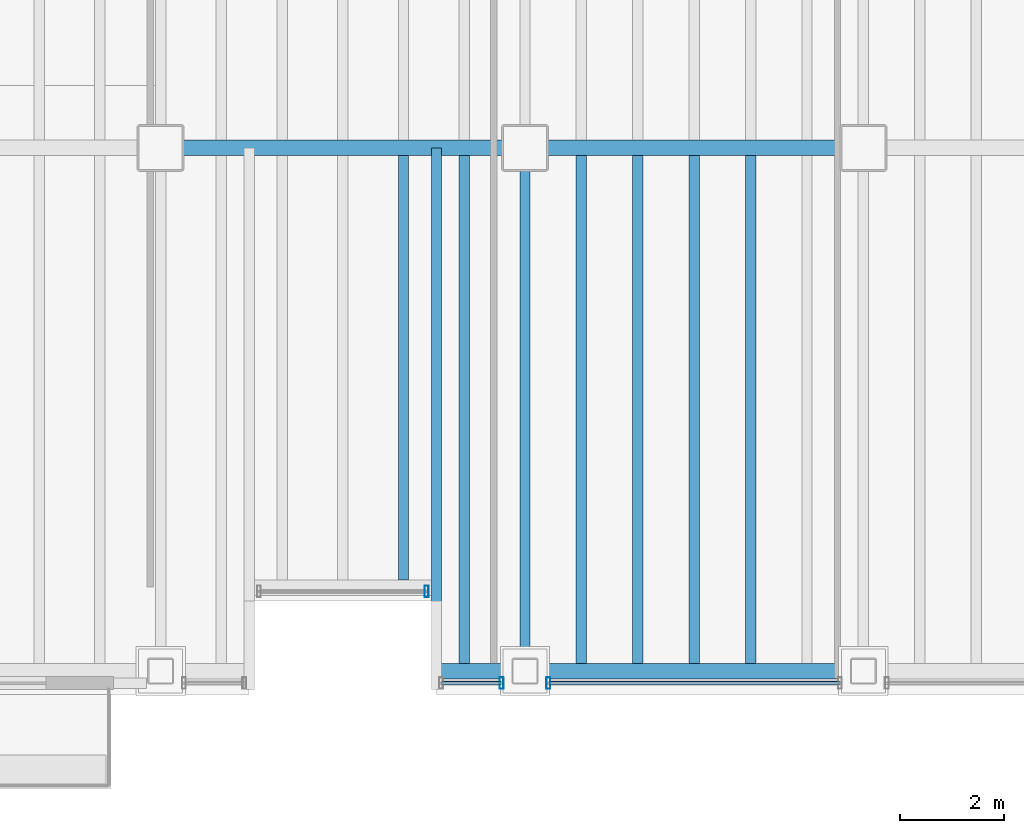
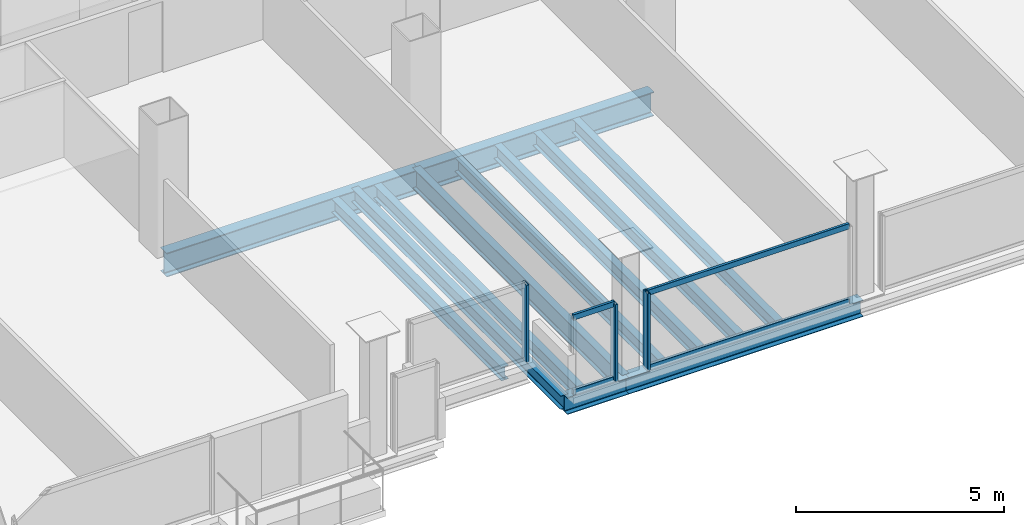
# One storey, part 5 of 21: 12 beams, 7 members, 3 elements without a shape of their own.
"""IFC4 building model written with IfcOpenShell, lengths in metres."""

from ifc_helpers import new_model, si_unit, direction, frame, origin, origin_2d, place, context, subcontext, project, spatial, hollow_rectangle, i_section, extrude, material, material_profile, profile_set, type_object, element, aggregate, save


model = new_model("IFC4")

# Units and contexts
model_context = context("Model", 3, precision=1e-05, world=origin(), true_north=direction((0.0, 1.0)))
body_context = subcontext(model_context, "Body", "Model", "MODEL_VIEW")
ifc_project = project(units=[si_unit("LENGTHUNIT", "METRE"), si_unit("AREAUNIT", "SQUARE_METRE"), si_unit("VOLUMEUNIT", "CUBIC_METRE"), si_unit("PLANEANGLEUNIT", "RADIAN"), si_unit("MASSUNIT", "GRAM", prefix="KILO")], contexts=[model_context])

# Site, building, storey
site_placement = place(None, origin())
site = spatial("IfcSite", under=ifc_project, at=site_placement, CompositionType="ELEMENT")
building_placement = place(site_placement, origin())
building = spatial("IfcBuilding", under=site, at=building_placement, Name="Noeulbin Bourse Tower", CompositionType="ELEMENT")
storey_placement = place(building_placement, frame((0.0, 0.0, 111.0)))
storey = spatial("IfcBuildingStorey", under=building, at=storey_placement, Name="L27", CompositionType="ELEMENT", Elevation=111.0)

# Beams
ifc_material_1 = material(Name="Steel S355", Category="steel")
ifc_material_profile_1 = material_profile(ifc_material_1, i_section(OverallWidth=0.199951171875, OverallDepth=0.60009765625, WebThickness=0.010986328125, FlangeThickness=0.01708984375, FilletRadius=0.02197265625, at=origin_2d()), Name="H-600x200x11x17", Category="LoadBearing")
ifc_profile_set_1 = profile_set([ifc_material_profile_1], Name="Steel S355")
beam_type_1 = type_object("IfcBeamType", Name="BM-GRD-600", PredefinedType="USERDEFINED", material=ifc_profile_set_1)
beam_1_placement = place(storey_placement, frame((31.0, 9.949951171875, -0.47998046875), z_axis=(0.0, 1.0, 0.0), x_axis=(-1.0, 0.0, 0.0)))
element("IfcBeam", 1, at=beam_1_placement, inside=storey, type_object=beam_type_1, Name="Tower Primary Girder NS L27-3.1", ObjectType="GIRDER", PredefinedType="USERDEFINED", context=body_context, shape_type="SweptSolid", body=[
    extrude(i_section(OverallWidth=0.199951171875, OverallDepth=0.60009765625, WebThickness=0.010986328125, FlangeThickness=0.01708984375, FilletRadius=0.02197265625, at=origin_2d()), origin(), (0.0, 0.0, 1.0), 10.050048828125),
])
ifc_material_profile_2 = material_profile(ifc_material_1, i_section(OverallWidth=0.300048828125, OverallDepth=0.699951171875, WebThickness=0.012939453125, FlangeThickness=0.02392578125, FilletRadius=0.02392578125, at=origin_2d()), Name="H-700x300x13x24", Category="LoadBearing")
ifc_profile_set_2 = profile_set([ifc_material_profile_2], Name="Steel S355")
beam_type_2 = type_object("IfcBeamType", Name="BM-GRD-700", PredefinedType="USERDEFINED", material=ifc_profile_set_2)
beam_2_placement = place(storey_placement, frame((24.0, 20.0, -0.530029296875), z_axis=(1.0, 0.0, 0.0), x_axis=(0.0, 1.0, 0.0)))
element("IfcBeam", 2, at=beam_2_placement, inside=storey, type_object=beam_type_2, Name="Tower Primary Girder EW L27-1.3", ObjectType="GIRDER", PredefinedType="USERDEFINED", context=body_context, shape_type="SweptSolid", body=[
    extrude(i_section(OverallWidth=0.300048828125, OverallDepth=0.699951171875, WebThickness=0.012939453125, FlangeThickness=0.02392578125, FilletRadius=0.02392578125, at=origin_2d()), origin(), (0.0, 0.0, 1.0), 7.0),
])
beam_3_placement = place(storey_placement, frame((31.0, 20.0, -0.530029296875), z_axis=(1.0, 0.0, 0.0), x_axis=(0.0, 1.0, 0.0)))
element("IfcBeam", 3, at=beam_3_placement, inside=storey, type_object=beam_type_2, Name="Tower Primary Girder EW L27-1.4", ObjectType="GIRDER", PredefinedType="USERDEFINED", context=body_context, shape_type="SweptSolid", body=[
    extrude(i_section(OverallWidth=0.300048828125, OverallDepth=0.699951171875, WebThickness=0.012939453125, FlangeThickness=0.02392578125, FilletRadius=0.02392578125, at=origin_2d()), origin(), (0.0, 0.0, 1.0), 6.5),
])
ifc_material_profile_3 = material_profile(ifc_material_1, i_section(OverallWidth=0.199951171875, OverallDepth=0.39990234375, WebThickness=0.008056640625, FlangeThickness=0.012939453125, FilletRadius=0.01611328125, at=origin_2d()), Name="H-400x200x8x13", Category="LoadBearing")
ifc_profile_set_3 = profile_set([ifc_material_profile_3], Name="Steel S355")
beam_type_3 = type_object("IfcBeamType", Name="BM-SEC-400", PredefinedType="BEAM", material=ifc_profile_set_3)
beam_4_placement = place(storey_placement, frame((29.300048828125, 9.949951171875, -0.3798828125), z_axis=(0.0, 1.0, 0.0), x_axis=(-1.0, 0.0, 0.0)))
element("IfcBeam", 4, at=beam_4_placement, inside=storey, type_object=beam_type_3, Name="BM-L27-SRT-E", PredefinedType="BEAM", context=body_context, shape_type="SweptSolid", body=[
    extrude(i_section(OverallWidth=0.199951171875, OverallDepth=0.39990234375, WebThickness=0.008056640625, FlangeThickness=0.012939453125, FilletRadius=0.01611328125, at=origin_2d()), origin(), (0.0, 0.0, 1.0), 10.050048828125),
])
beam_5_placement = place(storey_placement, frame((28.666748046875, 11.699951171875, -0.3798828125), z_axis=(0.0, 1.0, 0.0), x_axis=(-1.0, 0.0, 0.0)))
element("IfcBeam", 5, at=beam_5_placement, inside=storey, type_object=beam_type_3, Name="Tower Composite Joist L27-34", PredefinedType="BEAM", context=body_context, shape_type="SweptSolid", body=[
    extrude(i_section(OverallWidth=0.199951171875, OverallDepth=0.39990234375, WebThickness=0.008056640625, FlangeThickness=0.012939453125, FilletRadius=0.01611328125, at=origin_2d()), origin(), (0.0, 0.0, 1.0), 8.150146484375),
])
for number, where, z_axis, x_axis, name in (
    (6, (29.833251953125, 10.10009765625, -0.3798828125), (0.0, 1.0, 0.0), (-1.0, 0.0, 0.0), "Tower Composite Joist L27-37"),
    (7, (32.083251953125, 10.10009765625, -0.3798828125), (0.0, 1.0, 0.0), (-1.0, 0.0, 0.0), "Tower Composite Joist L27-40"),
    (8, (33.166748046875, 10.10009765625, -0.3798828125), (0.0, 1.0, 0.0), (-1.0, 0.0, 0.0), "Tower Composite Joist L27-43"),
    (9, (34.25, 10.10009765625, -0.3798828125), (0.0, 1.0, 0.0), (-1.0, 0.0, 0.0), "Tower Composite Joist L27-46"),
    (10, (35.333251953125, 10.10009765625, -0.3798828125), (0.0, 1.0, 0.0), (-1.0, 0.0, 0.0), "Tower Composite Joist L27-49"),
):
    element("IfcBeam", number, at=place(storey_placement, frame(where, z_axis=z_axis, x_axis=x_axis)), inside=storey, type_object=beam_type_3, Name=name, PredefinedType="BEAM", context=body_context, shape_type="SweptSolid", body=[
        extrude(i_section(OverallWidth=0.199951171875, OverallDepth=0.39990234375, WebThickness=0.008056640625, FlangeThickness=0.012939453125, FilletRadius=0.01611328125, at=origin_2d()), origin(), (0.0, 0.0, 1.0), 9.75),
    ])
ifc_material_profile_4 = material_profile(ifc_material_1, i_section(OverallWidth=0.300048828125, OverallDepth=0.488037109375, WebThickness=0.010986328125, FlangeThickness=0.01806640625, FilletRadius=0.02197265625, at=origin_2d()), Name="H-488x300x11x18", Category="LoadBearing")
ifc_profile_set_4 = profile_set([ifc_material_profile_4], Name="Steel S355")
beam_type_4 = type_object("IfcBeamType", Name="BM-SPN-488", PredefinedType="SPANDREL", material=ifc_profile_set_4)
beam_6_placement = place(storey_placement, frame((29.300048828125, 9.949951171875, -0.424072265625), z_axis=(1.0, 0.0, 0.0), x_axis=(0.0, 1.0, 0.0)))
element("IfcBeam", 11, at=beam_6_placement, inside=storey, type_object=beam_type_4, Name="South Spandrel L27-2C", PredefinedType="SPANDREL", context=body_context, shape_type="SweptSolid", body=[
    extrude(i_section(OverallWidth=0.300048828125, OverallDepth=0.488037109375, WebThickness=0.010986328125, FlangeThickness=0.01806640625, FilletRadius=0.02197265625, at=origin_2d()), origin(), (0.0, 0.0, 1.0), 1.699951171875),
])
beam_7_placement = place(storey_placement, frame((31.0, 9.949951171875, -0.424072265625), z_axis=(1.0, 0.0, 0.0), x_axis=(0.0, 1.0, 0.0)))
element("IfcBeam", 12, at=beam_7_placement, inside=storey, type_object=beam_type_4, Name="South Spandrel L27-3", PredefinedType="SPANDREL", context=body_context, shape_type="SweptSolid", body=[
    extrude(i_section(OverallWidth=0.300048828125, OverallDepth=0.488037109375, WebThickness=0.010986328125, FlangeThickness=0.01806640625, FilletRadius=0.02197265625, at=origin_2d()), origin(), (0.0, 0.0, 1.0), 6.5),
])

# Curtain wall, member
ifc_material_2 = material(Name="Dark Tinted Triple Glazing", Category="glass")
curtain_wall_type = type_object("IfcCurtainWallType", Name="CW-SYS-3", PredefinedType="NOTDEFINED", material=ifc_material_2)
curtain_wall_1_placement = place(storey_placement, origin())
curtain_wall_1 = element("IfcCurtainWall", 13, at=curtain_wall_1_placement, inside=storey, type_object=curtain_wall_type, Name="Unitised Curtain Wall CW-L27-SREC", PredefinedType="NOTDEFINED")
ifc_material_3 = material(Name="Anodised Aluminium 6063-T6", Category="aluminium")
ifc_material_profile_5 = material_profile(ifc_material_3, hollow_rectangle(XDim=0.074951171875, YDim=0.219970703125, WallThickness=0.0048828125, InnerFilletRadius=0.00244140625, OuterFilletRadius=0.0048828125, at=origin_2d()), Name="ALU-MULL-75x220x5", Category="LoadBearing")
ifc_profile_set_5 = profile_set([ifc_material_profile_5], Name="Anodised Aluminium 6063-T6")
member_type_1 = type_object("IfcMemberType", Name="CW-SYS-3-MUL", PredefinedType="MULLION", material=ifc_profile_set_5)
member_1_placement = place(storey_placement, frame((29.110107421875, 11.47998046875, -0.02001953125), z_axis=(0.0, 0.0, 1.0), x_axis=(1.0, 0.0, 0.0)))
member_1 = element("IfcMember", 14, at=member_1_placement, type_object=member_type_1, Name="Curtain Wall Mullion CW-L27-SREC-M01", PredefinedType="MULLION", context=body_context, shape_type="SweptSolid", body=[
    extrude(hollow_rectangle(XDim=0.074951171875, YDim=0.219970703125, WallThickness=0.0048828125, InnerFilletRadius=0.00244140625, OuterFilletRadius=0.0048828125, at=origin_2d()), origin(), (0.0, 0.0, 1.0), 2.260009765625),
])
aggregate(curtain_wall_1, [member_1])

curtain_wall_2_placement = place(storey_placement, origin())
curtain_wall_2 = element("IfcCurtainWall", 15, at=curtain_wall_2_placement, inside=storey, type_object=curtain_wall_type, Name="Unitised Curtain Wall CW-L27-S3-S1", PredefinedType="NOTDEFINED")
member_2_placement = place(storey_placement, frame((30.550048828125, 9.719970703125, -0.02001953125), z_axis=(0.0, 0.0, 1.0), x_axis=(1.0, 0.0, 0.0)))
member_2 = element("IfcMember", 16, at=member_2_placement, type_object=member_type_1, Name="Curtain Wall Mullion CW-L27-S3-S1-M01", PredefinedType="MULLION", context=body_context, shape_type="SweptSolid", body=[
    extrude(hollow_rectangle(XDim=0.074951171875, YDim=0.219970703125, WallThickness=0.0048828125, InnerFilletRadius=0.00244140625, OuterFilletRadius=0.0048828125, at=origin_2d()), origin(), (0.0, 0.0, 1.0), 2.260009765625),
])

curtain_wall_3_placement = place(storey_placement, origin())
curtain_wall_3 = element("IfcCurtainWall", 17, at=curtain_wall_3_placement, inside=storey, type_object=curtain_wall_type, Name="Unitised Curtain Wall CW-L27-S3-S2", PredefinedType="NOTDEFINED")
member_3_placement = place(storey_placement, frame((31.449951171875, 9.719970703125, -0.02001953125), z_axis=(0.0, 0.0, 1.0), x_axis=(1.0, 0.0, 0.0)))
member_3 = element("IfcMember", 18, at=member_3_placement, type_object=member_type_1, Name="Curtain Wall Mullion CW-L27-S3-S2-M00", PredefinedType="MULLION", context=body_context, shape_type="SweptSolid", body=[
    extrude(hollow_rectangle(XDim=0.074951171875, YDim=0.219970703125, WallThickness=0.0048828125, InnerFilletRadius=0.00244140625, OuterFilletRadius=0.0048828125, at=origin_2d()), origin(), (0.0, 0.0, 1.0), 2.260009765625),
])

# Member
ifc_material_profile_6 = material_profile(ifc_material_3, hollow_rectangle(XDim=0.074951171875, YDim=0.159912109375, WallThickness=0.0048828125, InnerFilletRadius=0.00244140625, OuterFilletRadius=0.0048828125, at=origin_2d()), Name="ALU-TRAN-75x160x5", Category="LoadBearing")
ifc_profile_set_6 = profile_set([ifc_material_profile_6], Name="Anodised Aluminium 6063-T6")
member_type_2 = type_object("IfcMemberType", Name="CW-SYS-3-TRN", PredefinedType="USERDEFINED", material=ifc_profile_set_6)
member_4_placement = place(storey_placement, frame((29.39990234375, 9.719970703125, 0.010009765625), z_axis=(1.0, 0.0, 0.0), x_axis=(0.0, 1.0, 0.0)))
member_4 = element("IfcMember", 19, at=member_4_placement, type_object=member_type_2, Name="Curtain Wall Transom CW-L27-S3-S1-T00", ObjectType="TRANSOM", PredefinedType="USERDEFINED", context=body_context, shape_type="SweptSolid", body=[
    extrude(hollow_rectangle(XDim=0.074951171875, YDim=0.159912109375, WallThickness=0.0048828125, InnerFilletRadius=0.00244140625, OuterFilletRadius=0.0048828125, at=origin_2d()), origin(), (0.0, 0.0, 1.0), 1.14013671875),
])

member_5_placement = place(storey_placement, frame((29.39990234375, 9.719970703125, 2.2099609375), z_axis=(1.0, 0.0, 0.0), x_axis=(0.0, 1.0, 0.0)))
member_5 = element("IfcMember", 20, at=member_5_placement, type_object=member_type_2, Name="Curtain Wall Transom CW-L27-S3-S1-T01", ObjectType="TRANSOM", PredefinedType="USERDEFINED", context=body_context, shape_type="SweptSolid", body=[
    extrude(hollow_rectangle(XDim=0.074951171875, YDim=0.159912109375, WallThickness=0.0048828125, InnerFilletRadius=0.00244140625, OuterFilletRadius=0.0048828125, at=origin_2d()), origin(), (0.0, 0.0, 1.0), 1.14013671875),
])

aggregate(curtain_wall_2, [member_2, member_4, member_5])

member_6_placement = place(storey_placement, frame((31.4599609375, 9.719970703125, 0.010009765625), z_axis=(1.0, 0.0, 0.0), x_axis=(0.0, 1.0, 0.0)))
member_6 = element("IfcMember", 21, at=member_6_placement, type_object=member_type_2, Name="Curtain Wall Transom CW-L27-S3-S2-T00", ObjectType="TRANSOM", PredefinedType="USERDEFINED", context=body_context, shape_type="SweptSolid", body=[
    extrude(hollow_rectangle(XDim=0.074951171875, YDim=0.159912109375, WallThickness=0.0048828125, InnerFilletRadius=0.00244140625, OuterFilletRadius=0.0048828125, at=origin_2d()), origin(), (0.0, 0.0, 1.0), 5.580078125),
])

member_7_placement = place(storey_placement, frame((31.4599609375, 9.719970703125, 2.2099609375), z_axis=(1.0, 0.0, 0.0), x_axis=(0.0, 1.0, 0.0)))
member_7 = element("IfcMember", 22, at=member_7_placement, type_object=member_type_2, Name="Curtain Wall Transom CW-L27-S3-S2-T01", ObjectType="TRANSOM", PredefinedType="USERDEFINED", context=body_context, shape_type="SweptSolid", body=[
    extrude(hollow_rectangle(XDim=0.074951171875, YDim=0.159912109375, WallThickness=0.0048828125, InnerFilletRadius=0.00244140625, OuterFilletRadius=0.0048828125, at=origin_2d()), origin(), (0.0, 0.0, 1.0), 5.580078125),
])

aggregate(curtain_wall_3, [member_3, member_6, member_7])

save(model, "model.ifc")
